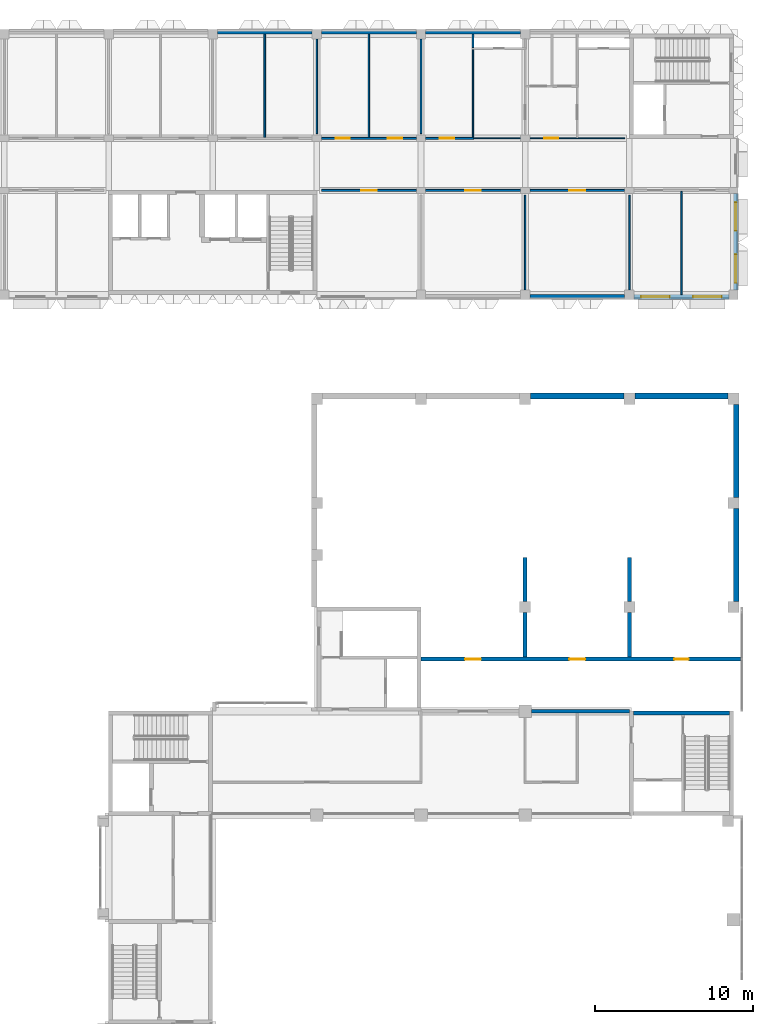
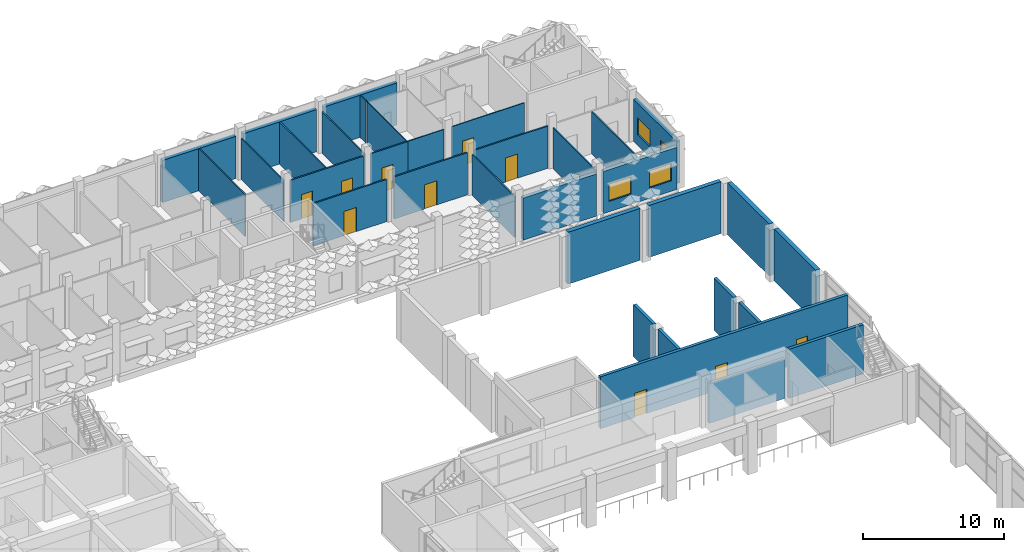
# One storey, part 38 of 87: 33 walls, 10 doors, 4 windows, 14 openings.
"""IFC4 building model written with IfcOpenShell, lengths in metres."""

from ifc_helpers import new_model, si_unit, direction, frame, frame_2d, origin, place, context, subcontext, project, spatial, rectangle, extrude, material, layer, layer_set, type_object, element, fill, save


model = new_model("IFC4")

# Units and contexts
model_context = context("Model", 3, precision=1e-05, world=origin(), true_north=direction((0.0, 1.0)))
body_context = subcontext(model_context, "Body", "Model", "MODEL_VIEW")
ifc_project = project(units=[si_unit("LENGTHUNIT", "METRE"), si_unit("AREAUNIT", "SQUARE_METRE"), si_unit("VOLUMEUNIT", "CUBIC_METRE"), si_unit("PLANEANGLEUNIT", "RADIAN"), si_unit("MASSUNIT", "GRAM", prefix="KILO")], contexts=[model_context])

# Site, building, storey
site_placement = place(None, origin())
site = spatial("IfcSite", under=ifc_project, at=site_placement, CompositionType="ELEMENT")
building_placement = place(site_placement, origin())
building = spatial("IfcBuilding", under=site, at=building_placement, Name="Lantern Court Research Institute", CompositionType="ELEMENT")
storey_placement = place(building_placement, frame((0.0, 0.0, 5.39990234375)))
storey = spatial("IfcBuildingStorey", under=building, at=storey_placement, Name="L01", CompositionType="ELEMENT", Elevation=5.39990234375)

# Wall, openings, doors
ifc_material_1 = material(Name="Acoustic double-leaf gypsum board")
ifc_layer_1 = layer(ifc_material_1, 0.25)
ifc_layer_set_1 = layer_set([ifc_layer_1], Name="Acoustic double-leaf gypsum board")
wall_type_1 = type_object("IfcWallType", Name="Acoustic wall 250 mm EI 60", PredefinedType="PARTITIONING", material=ifc_layer_set_1)
wall_1_placement = place(storey_placement, frame((59.39990234375, 59.39990234375, 0.0), z_axis=(0.0, 0.0, 1.0), x_axis=(1.0, 0.0, 0.0)))
wall_1 = element("IfcWall", 1, at=wall_1_placement, inside=storey, type_object=wall_type_1, Name="Wall V1-L01-003", PredefinedType="PARTITIONING", context=body_context, shape_type="SweptSolid", body=[
    extrude(rectangle(XDim=20.25, YDim=0.25, at=frame_2d((10.125, 0.0))), origin(), (0.0, 0.0, 1.0), 4.5),
])
opening_1_placement = place(wall_1_placement, frame((2.800048828125, 0.0, 0.0)))
opening_1 = element("IfcOpeningElement", 2, at=opening_1_placement, cuts=wall_1, Name="Opening D1102", PredefinedType="OPENING", context=body_context, shape_type="SweptSolid", body=[
    extrude(rectangle(XDim=1.0, YDim=2.10009765625, at=frame_2d((0.5, 1.050048828125))), frame((0.0, 0.135009765625, 0.0), z_axis=(0.0, -1.0, 0.0), x_axis=(1.0, 0.0, 0.0)), (0.0, 0.0, 1.0), 0.27001953125),
])
opening_2_placement = place(wall_1_placement, frame((9.39990234375, 0.0, 0.0)))
opening_2 = element("IfcOpeningElement", 3, at=opening_2_placement, cuts=wall_1, Name="Opening D1103", PredefinedType="OPENING", context=body_context, shape_type="SweptSolid", body=[
    extrude(rectangle(XDim=1.0, YDim=2.10009765625, at=frame_2d((0.5, 1.050048828125))), frame((0.0, 0.135009765625, 0.0), z_axis=(0.0, -1.0, 0.0), x_axis=(1.0, 0.0, 0.0)), (0.0, 0.0, 1.0), 0.27001953125),
])
opening_3_placement = place(wall_1_placement, frame((16.050048828125, 0.0, 0.0)))
opening_3 = element("IfcOpeningElement", 4, at=opening_3_placement, cuts=wall_1, Name="Opening D1104", PredefinedType="OPENING", context=body_context, shape_type="SweptSolid", body=[
    extrude(rectangle(XDim=0.89990234375, YDim=2.10009765625, at=frame_2d((0.449951171875, 1.050048828125))), frame((0.0, 0.135009765625, 0.0), z_axis=(0.0, -1.0, 0.0), x_axis=(1.0, 0.0, 0.0)), (0.0, 0.0, 1.0), 0.27001953125),
])
ifc_material_2 = material(Name="Timber veneered door leaf", Category="wood")
door_type_1 = type_object("IfcDoorType", Name="Door 1000 x 2100 meeting room FD30S", OperationType="NOTDEFINED", PredefinedType="DOOR", material=ifc_material_2)
door_1_placement = place(opening_2_placement, origin())
door_1 = element("IfcDoor", 5, at=door_1_placement, inside=storey, type_object=door_type_1, Name="Door D1103", OperationType="SINGLE_SWING_LEFT", OverallHeight=2.10009765625, OverallWidth=1.0, PredefinedType="DOOR", context=body_context, shape_type="SweptSolid", body=[
    extrude(rectangle(XDim=1.0, YDim=2.10009765625, at=frame_2d((0.5, 1.050048828125))), frame((0.0, 0.02490234375, 0.0), z_axis=(0.0, -1.0, 0.0), x_axis=(1.0, 0.0, 0.0)), (0.0, 0.0, 1.0), 0.050048828125),
])
fill(opening_2, door_1)
ifc_material_3 = material(Name="Coated metal door leaf")
door_type_2 = type_object("IfcDoorType", Name="Door 1000 x 2100 plant FD60", OperationType="NOTDEFINED", PredefinedType="DOOR", material=ifc_material_3)
door_2_placement = place(opening_1_placement, origin())
door_2 = element("IfcDoor", 6, at=door_2_placement, inside=storey, type_object=door_type_2, Name="Door D1102", OperationType="SINGLE_SWING_RIGHT", OverallHeight=2.10009765625, OverallWidth=1.0, PredefinedType="DOOR", context=body_context, shape_type="SweptSolid", body=[
    extrude(rectangle(XDim=1.0, YDim=2.10009765625, at=frame_2d((0.5, 1.050048828125))), frame((0.0, 0.02490234375, 0.0), z_axis=(0.0, -1.0, 0.0), x_axis=(1.0, 0.0, 0.0)), (0.0, 0.0, 1.0), 0.050048828125),
])
fill(opening_1, door_2)
ifc_material_4 = material(Name="Coated metal door leaf")
door_type_3 = type_object("IfcDoorType", Name="Door 900 x 2100 store FD60", OperationType="NOTDEFINED", PredefinedType="DOOR", material=ifc_material_4)
door_3_placement = place(opening_3_placement, origin())
door_3 = element("IfcDoor", 7, at=door_3_placement, inside=storey, type_object=door_type_3, Name="Door D1104", OperationType="SINGLE_SWING_RIGHT", OverallHeight=2.10009765625, OverallWidth=0.89990234375, PredefinedType="DOOR", context=body_context, shape_type="SweptSolid", body=[
    extrude(rectangle(XDim=0.89990234375, YDim=2.10009765625, at=frame_2d((0.449951171875, 1.050048828125))), frame((0.0, 0.02490234375, 0.0), z_axis=(0.0, -1.0, 0.0), x_axis=(1.0, 0.0, 0.0)), (0.0, 0.0, 1.0), 0.050048828125),
])
fill(opening_3, door_3)

# Walls
wall_2_placement = place(storey_placement, frame((66.0, 59.52490234375, 0.0), z_axis=(0.0, 0.0, 1.0), x_axis=(0.0, 1.0, 0.0)))
element("IfcWall", 8, at=wall_2_placement, inside=storey, type_object=wall_type_1, Name="Wall V1-L01-004", PredefinedType="PARTITIONING", context=body_context, shape_type="SweptSolid", body=[
    extrude(rectangle(XDim=2.8251953125, YDim=0.25, at=frame_2d((1.41259765625, 0.0))), origin(), (0.0, 0.0, 1.0), 4.5),
])
wall_3_placement = place(storey_placement, frame((66.0, 63.050048828125, 0.0), z_axis=(0.0, 0.0, 1.0), x_axis=(0.0, 1.0, 0.0)))
element("IfcWall", 9, at=wall_3_placement, inside=storey, type_object=wall_type_1, Name="Wall V1-L01-005", PredefinedType="PARTITIONING", context=body_context, shape_type="SweptSolid", body=[
    extrude(rectangle(XDim=2.800048828125, YDim=0.25, at=frame_2d((1.39990234375, 0.0))), origin(), (0.0, 0.0, 1.0), 4.5),
])
wall_4_placement = place(storey_placement, frame((72.60009765625, 59.52490234375, 0.0), z_axis=(0.0, 0.0, 1.0), x_axis=(0.0, 1.0, 0.0)))
element("IfcWall", 10, at=wall_4_placement, inside=storey, type_object=wall_type_1, Name="Wall V1-L01-006", PredefinedType="PARTITIONING", context=body_context, shape_type="SweptSolid", body=[
    extrude(rectangle(XDim=2.8251953125, YDim=0.25, at=frame_2d((1.41259765625, 0.0))), origin(), (0.0, 0.0, 1.0), 4.5),
])
wall_5_placement = place(storey_placement, frame((72.60009765625, 63.050048828125, 0.0), z_axis=(0.0, 0.0, 1.0), x_axis=(0.0, 1.0, 0.0)))
element("IfcWall", 11, at=wall_5_placement, inside=storey, type_object=wall_type_1, Name="Wall V1-L01-007", PredefinedType="PARTITIONING", context=body_context, shape_type="SweptSolid", body=[
    extrude(rectangle(XDim=2.800048828125, YDim=0.25, at=frame_2d((1.39990234375, 0.0))), origin(), (0.0, 0.0, 1.0), 4.5),
])

# Wall, openings, windows
ifc_material_5 = material(Name="Concrete C30/37", Category="concrete")
ifc_layer_2 = layer(ifc_material_5, 0.300048828125)
ifc_layer_set_2 = layer_set([ifc_layer_2], Name="Concrete C30/37")
wall_type_2 = type_object("IfcWallType", Name="Insulated concrete infill wall 300", PredefinedType="STANDARD", material=ifc_layer_set_2)
wall_6_placement = place(storey_placement, frame((79.35009765625, 88.89990234375, 0.0), z_axis=(0.0, 0.0, 1.0), x_axis=(0.0, -1.0, 0.0)))
wall_6 = element("IfcWall", 12, at=wall_6_placement, inside=storey, type_object=wall_type_2, Name="Exterior wall EW107", PredefinedType="STANDARD", context=body_context, shape_type="SweptSolid", body=[
    extrude(rectangle(XDim=6.099853515625, YDim=0.300048828125, at=frame_2d((3.0498046875, 0.0))), origin(), (0.0, 0.0, 1.0), 3.650146484375),
])
opening_4_placement = place(wall_6_placement, frame((3.85009765625, 0.0, 0.89990234375)))
opening_4 = element("IfcOpeningElement", 13, at=opening_4_placement, cuts=wall_6, Name="Opening W14", PredefinedType="OPENING", context=body_context, shape_type="SweptSolid", body=[
    extrude(rectangle(XDim=1.800048828125, YDim=1.5, at=frame_2d((0.89990234375, 0.75))), frame((0.0, 0.159912109375, 0.0), z_axis=(0.0, -1.0, 0.0), x_axis=(1.0, 0.0, 0.0)), (0.0, 0.0, 1.0), 0.320068359375),
])
opening_5_placement = place(wall_6_placement, frame((0.550048828125, 0.0, 0.89990234375)))
opening_5 = element("IfcOpeningElement", 14, at=opening_5_placement, cuts=wall_6, Name="Opening W14", PredefinedType="OPENING", context=body_context, shape_type="SweptSolid", body=[
    extrude(rectangle(XDim=1.800048828125, YDim=1.5, at=frame_2d((0.89990234375, 0.75))), frame((0.0, 0.159912109375, 0.0), z_axis=(0.0, -1.0, 0.0), x_axis=(1.0, 0.0, 0.0)), (0.0, 0.0, 1.0), 0.320068359375),
])
ifc_material_6 = material(Name="Aluminium frame with laminated low-emissivity glazing", Category="aluminium")
window_type = type_object("IfcWindowType", Name="Office window 1800 x 1500", PartitioningType="SINGLE_PANEL", PredefinedType="WINDOW", material=ifc_material_6)
window_1_placement = place(opening_4_placement, origin())
window_1 = element("IfcWindow", 15, at=window_1_placement, inside=storey, type_object=window_type, Name="Window W14 V6E L01", OverallHeight=1.5, OverallWidth=1.800048828125, PartitioningType="SINGLE_PANEL", PredefinedType="WINDOW", context=body_context, shape_type="SweptSolid", body=[
    extrude(rectangle(XDim=1.800048828125, YDim=1.5, at=frame_2d((0.89990234375, 0.75))), frame((0.0, 0.030029296875, 0.0), z_axis=(0.0, -1.0, 0.0), x_axis=(1.0, 0.0, 0.0)), (0.0, 0.0, 1.0), 0.06005859375),
])
fill(opening_4, window_1)
window_2_placement = place(opening_5_placement, origin())
window_2 = element("IfcWindow", 16, at=window_2_placement, inside=storey, type_object=window_type, Name="Window W14 V6E L01", OverallHeight=1.5, OverallWidth=1.800048828125, PartitioningType="SINGLE_PANEL", PredefinedType="WINDOW", context=body_context, shape_type="SweptSolid", body=[
    extrude(rectangle(XDim=1.800048828125, YDim=1.5, at=frame_2d((0.89990234375, 0.75))), frame((0.0, 0.030029296875, 0.0), z_axis=(0.0, -1.0, 0.0), x_axis=(1.0, 0.0, 0.0)), (0.0, 0.0, 1.0), 0.06005859375),
])
fill(opening_5, window_2)

# Wall
wall_7_placement = place(storey_placement, frame((72.300048828125, 82.35009765625, 0.0), z_axis=(0.0, 0.0, 1.0), x_axis=(-1.0, 0.0, 0.0)))
element("IfcWall", 17, at=wall_7_placement, inside=storey, type_object=wall_type_2, Name="Exterior wall EW127", PredefinedType="STANDARD", context=body_context, shape_type="SweptSolid", body=[
    extrude(rectangle(XDim=6.0, YDim=0.300048828125, at=frame_2d((3.0, 0.0))), origin(), (0.0, 0.0, 1.0), 3.650146484375),
])

# Wall, openings, windows
wall_8_placement = place(storey_placement, frame((78.89990234375, 82.35009765625, 0.0), z_axis=(0.0, 0.0, 1.0), x_axis=(-1.0, 0.0, 0.0)))
wall_8 = element("IfcWall", 18, at=wall_8_placement, inside=storey, type_object=wall_type_2, Name="Exterior wall EW128", PredefinedType="STANDARD", context=body_context, shape_type="SweptSolid", body=[
    extrude(rectangle(XDim=6.0, YDim=0.300048828125, at=frame_2d((3.0, 0.0))), origin(), (0.0, 0.0, 1.0), 3.650146484375),
])
opening_6_placement = place(wall_8_placement, frame((3.75, 0.0, 0.89990234375)))
opening_6 = element("IfcOpeningElement", 19, at=opening_6_placement, cuts=wall_8, Name="Opening W14", PredefinedType="OPENING", context=body_context, shape_type="SweptSolid", body=[
    extrude(rectangle(XDim=1.800048828125, YDim=1.5, at=frame_2d((0.89990234375, 0.75))), frame((0.0, 0.159912109375, 0.0), z_axis=(0.0, -1.0, 0.0), x_axis=(1.0, 0.0, 0.0)), (0.0, 0.0, 1.0), 0.320068359375),
])
opening_7_placement = place(wall_8_placement, frame((0.449951171875, 0.0, 0.89990234375)))
opening_7 = element("IfcOpeningElement", 20, at=opening_7_placement, cuts=wall_8, Name="Opening W14", PredefinedType="OPENING", context=body_context, shape_type="SweptSolid", body=[
    extrude(rectangle(XDim=1.800048828125, YDim=1.5, at=frame_2d((0.89990234375, 0.75))), frame((0.0, 0.159912109375, 0.0), z_axis=(0.0, -1.0, 0.0), x_axis=(1.0, 0.0, 0.0)), (0.0, 0.0, 1.0), 0.320068359375),
])
window_3_placement = place(opening_6_placement, origin())
window_3 = element("IfcWindow", 21, at=window_3_placement, inside=storey, type_object=window_type, Name="Window W14 V6S L01", OverallHeight=1.5, OverallWidth=1.800048828125, PartitioningType="SINGLE_PANEL", PredefinedType="WINDOW", context=body_context, shape_type="SweptSolid", body=[
    extrude(rectangle(XDim=1.800048828125, YDim=1.5, at=frame_2d((0.89990234375, 0.75))), frame((0.0, 0.030029296875, 0.0), z_axis=(0.0, -1.0, 0.0), x_axis=(1.0, 0.0, 0.0)), (0.0, 0.0, 1.0), 0.06005859375),
])
fill(opening_6, window_3)
window_4_placement = place(opening_7_placement, origin())
window_4 = element("IfcWindow", 22, at=window_4_placement, inside=storey, type_object=window_type, Name="Window W14 V6S L01", OverallHeight=1.5, OverallWidth=1.800048828125, PartitioningType="SINGLE_PANEL", PredefinedType="WINDOW", context=body_context, shape_type="SweptSolid", body=[
    extrude(rectangle(XDim=1.800048828125, YDim=1.5, at=frame_2d((0.89990234375, 0.75))), frame((0.0, 0.030029296875, 0.0), z_axis=(0.0, -1.0, 0.0), x_axis=(1.0, 0.0, 0.0)), (0.0, 0.0, 1.0), 0.06005859375),
])
fill(opening_7, window_4)

# Walls
ifc_material_7 = material(Name="Gypsum board on metal studs")
ifc_layer_3 = layer(ifc_material_7, 0.10009765625)
ifc_layer_set_3 = layer_set([ifc_layer_3], Name="Gypsum board on metal studs")
wall_type_3 = type_object("IfcWallType", Name="Partition 100 mm", PredefinedType="PARTITIONING", material=ifc_layer_set_3)
wall_9_placement = place(storey_placement, frame((49.5, 92.462890625, 0.0), z_axis=(0.0, 0.0, 1.0), x_axis=(0.0, 1.0, 0.0)))
element("IfcWall", 23, at=wall_9_placement, inside=storey, type_object=wall_type_3, Name="Wall V6-L01-058", PredefinedType="PARTITIONING", context=body_context, shape_type="SweptSolid", body=[
    extrude(rectangle(XDim=6.537109375, YDim=0.10009765625, at=frame_2d((3.2685546875, 0.0))), origin(), (0.0, 0.0, 1.0), 3.650146484375),
])
wall_10_placement = place(storey_placement, frame((52.800048828125, 92.699951171875, 0.0), z_axis=(0.0, 0.0, 1.0), x_axis=(0.0, 1.0, 0.0)))
element("IfcWall", 24, at=wall_10_placement, inside=storey, type_object=wall_type_3, Name="Wall V6-L01-059", PredefinedType="PARTITIONING", context=body_context, shape_type="SweptSolid", body=[
    extrude(rectangle(XDim=6.0, YDim=0.10009765625, at=frame_2d((3.0, 0.0))), origin(), (0.0, 0.0, 1.0), 3.550048828125),
])
wall_11_placement = place(storey_placement, frame((56.10009765625, 92.462890625, 0.0), z_axis=(0.0, 0.0, 1.0), x_axis=(0.0, 1.0, 0.0)))
element("IfcWall", 25, at=wall_11_placement, inside=storey, type_object=wall_type_3, Name="Wall V6-L01-060", PredefinedType="PARTITIONING", context=body_context, shape_type="SweptSolid", body=[
    extrude(rectangle(XDim=6.537109375, YDim=0.10009765625, at=frame_2d((3.2685546875, 0.0))), origin(), (0.0, 0.0, 1.0), 3.650146484375),
])
for number, where, z_axis, x_axis, name in (
    (26, (59.39990234375, 92.699951171875, 0.0), (0.0, 0.0, 1.0), (0.0, 1.0, 0.0), "Wall V6-L01-062"),
    (27, (66.0, 82.800048828125, 0.0), (0.0, 0.0, 1.0), (0.0, 1.0, 0.0), "Wall V6-L01-065"),
    (28, (72.60009765625, 82.800048828125, 0.0), (0.0, 0.0, 1.0), (0.0, 1.0, 0.0), "Wall V6-L01-071"),
):
    element("IfcWall", number, at=place(storey_placement, frame(where, z_axis=z_axis, x_axis=x_axis)), inside=storey, type_object=wall_type_3, Name=name, PredefinedType="PARTITIONING", context=body_context, shape_type="SweptSolid", body=[
        extrude(rectangle(XDim=6.0, YDim=0.10009765625, at=frame_2d((3.0, 0.0))), origin(), (0.0, 0.0, 1.0), 3.550048828125),
    ])
wall_12_placement = place(storey_placement, frame((75.89990234375, 82.5, 0.0), z_axis=(0.0, 0.0, 1.0), x_axis=(0.0, 1.0, 0.0)))
element("IfcWall", 29, at=wall_12_placement, inside=storey, type_object=wall_type_3, Name="Wall V6-L01-072", PredefinedType="PARTITIONING", context=body_context, shape_type="SweptSolid", body=[
    extrude(rectangle(XDim=6.537109375, YDim=0.10009765625, at=frame_2d((3.2685546875, 0.0))), origin(), (0.0, 0.0, 1.0), 3.650146484375),
])
ifc_material_8 = material(Name="Fire-rated blockwork", Category="masonry")
ifc_layer_4 = layer(ifc_material_8, 0.199951171875)
ifc_layer_set_4 = layer_set([ifc_layer_4], Name="Fire-rated blockwork")
wall_type_4 = type_object("IfcWallType", Name="Party wall 200 mm EI 120", PredefinedType="PARTITIONING", material=ifc_layer_set_4)
wall_13_placement = place(storey_placement, frame((66.39990234375, 56.10009765625, 0.0), z_axis=(0.0, 0.0, 1.0), x_axis=(1.0, 0.0, 0.0)))
element("IfcWall", 30, at=wall_13_placement, inside=storey, type_object=wall_type_4, Name="Wall V1-L01-002", PredefinedType="PARTITIONING", context=body_context, shape_type="SweptSolid", body=[
    extrude(rectangle(XDim=6.2001953125, YDim=0.199951171875, at=frame_2d((3.10009765625, 0.0))), origin(), (0.0, 0.0, 1.0), 3.4501953125),
])
ifc_material_9 = material(Name="Concrete C30/37", Category="concrete")
ifc_layer_5 = layer(ifc_material_9, 0.300048828125)
ifc_layer_set_5 = layer_set([ifc_layer_5], Name="Concrete C30/37")
wall_type_5 = type_object("IfcWallType", Name="Party wall 300 concrete EI 120", PredefinedType="STANDARD", material=ifc_layer_set_5)
for number, where, z_axis, x_axis, name in (
    (31, (46.5, 99.14990234375, 0.0), (0.0, 0.0, 1.0), (1.0, 0.0, 0.0), "Exterior wall EW115"),
    (32, (53.10009765625, 99.14990234375, 0.0), (0.0, 0.0, 1.0), (1.0, 0.0, 0.0), "Exterior wall EW116"),
    (33, (59.699951171875, 99.14990234375, 0.0), (0.0, 0.0, 1.0), (1.0, 0.0, 0.0), "Exterior wall EW117"),
):
    element("IfcWall", number, at=place(storey_placement, frame(where, z_axis=z_axis, x_axis=x_axis)), inside=storey, type_object=wall_type_5, Name=name, PredefinedType="STANDARD", context=body_context, shape_type="SweptSolid", body=[
        extrude(rectangle(XDim=6.0, YDim=0.300048828125, at=frame_2d((3.0, 0.0))), origin(), (0.0, 0.0, 1.0), 3.650146484375),
    ])

# Wall, opening, door
ifc_material_10 = material(Name="Gypsum board on metal studs")
ifc_layer_6 = layer(ifc_material_10, 0.125)
ifc_layer_set_6 = layer_set([ifc_layer_6], Name="Gypsum board on metal studs")
wall_type_6 = type_object("IfcWallType", Name="Protected corridor partition 125 mm EI 30", PredefinedType="PARTITIONING", material=ifc_layer_set_6)
wall_14_placement = place(storey_placement, frame((59.10009765625, 89.10009765625, 0.0), z_axis=(0.0, 0.0, 1.0), x_axis=(-1.0, 0.0, 0.0)))
wall_14 = element("IfcWall", 34, at=wall_14_placement, inside=storey, type_object=wall_type_6, Name="Wall V6-L01-007", PredefinedType="PARTITIONING", context=body_context, shape_type="SweptSolid", body=[
    extrude(rectangle(XDim=6.0, YDim=0.125, at=frame_2d((3.0, 0.0))), origin(), (0.0, 0.0, 1.0), 3.650146484375),
])
opening_8_placement = place(wall_14_placement, frame((2.5, 0.0, 0.0)))
opening_8 = element("IfcOpeningElement", 35, at=opening_8_placement, cuts=wall_14, Name="Opening D6113", PredefinedType="OPENING", context=body_context, shape_type="SweptSolid", body=[
    extrude(rectangle(XDim=1.0, YDim=2.10009765625, at=frame_2d((0.5, 1.050048828125))), frame((0.0, 0.072509765625, 0.0), z_axis=(0.0, -1.0, 0.0), x_axis=(1.0, 0.0, 0.0)), (0.0, 0.0, 1.0), 0.14501953125),
])
door_4_placement = place(opening_8_placement, origin())
door_4 = element("IfcDoor", 36, at=door_4_placement, inside=storey, type_object=door_type_1, Name="Door D6113", OperationType="SINGLE_SWING_LEFT", OverallHeight=2.10009765625, OverallWidth=1.0, PredefinedType="DOOR", context=body_context, shape_type="SweptSolid", body=[
    extrude(rectangle(XDim=1.0, YDim=2.10009765625, at=frame_2d((0.5, 1.050048828125))), frame((0.0, 0.02490234375, 0.0), z_axis=(0.0, -1.0, 0.0), x_axis=(1.0, 0.0, 0.0)), (0.0, 0.0, 1.0), 0.050048828125),
])
fill(opening_8, door_4)

wall_15_placement = place(storey_placement, frame((65.699951171875, 89.10009765625, 0.0), z_axis=(0.0, 0.0, 1.0), x_axis=(-1.0, 0.0, 0.0)))
wall_15 = element("IfcWall", 37, at=wall_15_placement, inside=storey, type_object=wall_type_6, Name="Wall V6-L01-008", PredefinedType="PARTITIONING", context=body_context, shape_type="SweptSolid", body=[
    extrude(rectangle(XDim=6.0, YDim=0.125, at=frame_2d((3.0, 0.0))), origin(), (0.0, 0.0, 1.0), 3.650146484375),
])
opening_9_placement = place(wall_15_placement, frame((2.5, 0.0, 0.0)))
opening_9 = element("IfcOpeningElement", 38, at=opening_9_placement, cuts=wall_15, Name="Opening D6114", PredefinedType="OPENING", context=body_context, shape_type="SweptSolid", body=[
    extrude(rectangle(XDim=1.0, YDim=2.10009765625, at=frame_2d((0.5, 1.050048828125))), frame((0.0, 0.072509765625, 0.0), z_axis=(0.0, -1.0, 0.0), x_axis=(1.0, 0.0, 0.0)), (0.0, 0.0, 1.0), 0.14501953125),
])
door_5_placement = place(opening_9_placement, origin())
door_5 = element("IfcDoor", 39, at=door_5_placement, inside=storey, type_object=door_type_1, Name="Door D6114", OperationType="SINGLE_SWING_LEFT", OverallHeight=2.10009765625, OverallWidth=1.0, PredefinedType="DOOR", context=body_context, shape_type="SweptSolid", body=[
    extrude(rectangle(XDim=1.0, YDim=2.10009765625, at=frame_2d((0.5, 1.050048828125))), frame((0.0, 0.02490234375, 0.0), z_axis=(0.0, -1.0, 0.0), x_axis=(1.0, 0.0, 0.0)), (0.0, 0.0, 1.0), 0.050048828125),
])
fill(opening_9, door_5)

wall_16_placement = place(storey_placement, frame((72.300048828125, 89.10009765625, 0.0), z_axis=(0.0, 0.0, 1.0), x_axis=(-1.0, 0.0, 0.0)))
wall_16 = element("IfcWall", 40, at=wall_16_placement, inside=storey, type_object=wall_type_6, Name="Wall V6-L01-009", PredefinedType="PARTITIONING", context=body_context, shape_type="SweptSolid", body=[
    extrude(rectangle(XDim=6.0, YDim=0.125, at=frame_2d((3.0, 0.0))), origin(), (0.0, 0.0, 1.0), 3.650146484375),
])
opening_10_placement = place(wall_16_placement, frame((2.5, 0.0, 0.0)))
opening_10 = element("IfcOpeningElement", 41, at=opening_10_placement, cuts=wall_16, Name="Opening D6115", PredefinedType="OPENING", context=body_context, shape_type="SweptSolid", body=[
    extrude(rectangle(XDim=1.0, YDim=2.10009765625, at=frame_2d((0.5, 1.050048828125))), frame((0.0, 0.072509765625, 0.0), z_axis=(0.0, -1.0, 0.0), x_axis=(1.0, 0.0, 0.0)), (0.0, 0.0, 1.0), 0.14501953125),
])
door_6_placement = place(opening_10_placement, origin())
door_6 = element("IfcDoor", 42, at=door_6_placement, inside=storey, type_object=door_type_1, Name="Door D6115", OperationType="SINGLE_SWING_RIGHT", OverallHeight=2.10009765625, OverallWidth=1.0, PredefinedType="DOOR", context=body_context, shape_type="SweptSolid", body=[
    extrude(rectangle(XDim=1.0, YDim=2.10009765625, at=frame_2d((0.5, 1.050048828125))), frame((0.0, 0.02490234375, 0.0), z_axis=(0.0, -1.0, 0.0), x_axis=(1.0, 0.0, 0.0)), (0.0, 0.0, 1.0), 0.050048828125),
])
fill(opening_10, door_6)

# Wall, openings, doors
wall_17_placement = place(storey_placement, frame((53.10009765625, 92.39990234375, 0.0), z_axis=(0.0, 0.0, 1.0), x_axis=(1.0, 0.0, 0.0)))
wall_17 = element("IfcWall", 43, at=wall_17_placement, inside=storey, type_object=wall_type_6, Name="Wall V6-L01-019", PredefinedType="PARTITIONING", context=body_context, shape_type="SweptSolid", body=[
    extrude(rectangle(XDim=6.0, YDim=0.125, at=frame_2d((3.0, 0.0))), origin(), (0.0, 0.0, 1.0), 3.650146484375),
])
opening_11_placement = place(wall_17_placement, frame((0.89990234375, 0.0, 0.0)))
opening_11 = element("IfcOpeningElement", 44, at=opening_11_placement, cuts=wall_17, Name="Opening D6130", PredefinedType="OPENING", context=body_context, shape_type="SweptSolid", body=[
    extrude(rectangle(XDim=0.89990234375, YDim=2.10009765625, at=frame_2d((0.449951171875, 1.050048828125))), frame((0.0, 0.072509765625, 0.0), z_axis=(0.0, -1.0, 0.0), x_axis=(1.0, 0.0, 0.0)), (0.0, 0.0, 1.0), 0.14501953125),
])
opening_12_placement = place(wall_17_placement, frame((4.199951171875, 0.0, 0.0)))
opening_12 = element("IfcOpeningElement", 45, at=opening_12_placement, cuts=wall_17, Name="Opening D6131", PredefinedType="OPENING", context=body_context, shape_type="SweptSolid", body=[
    extrude(rectangle(XDim=0.89990234375, YDim=2.10009765625, at=frame_2d((0.449951171875, 1.050048828125))), frame((0.0, 0.072509765625, 0.0), z_axis=(0.0, -1.0, 0.0), x_axis=(1.0, 0.0, 0.0)), (0.0, 0.0, 1.0), 0.14501953125),
])
ifc_material_11 = material(Name="Timber veneered door leaf", Category="wood")
door_type_4 = type_object("IfcDoorType", Name="Door 900 x 2100 timber FD30S", OperationType="NOTDEFINED", PredefinedType="DOOR", material=ifc_material_11)
door_7_placement = place(opening_11_placement, origin())
door_7 = element("IfcDoor", 46, at=door_7_placement, inside=storey, type_object=door_type_4, Name="Door D6130", OperationType="SINGLE_SWING_RIGHT", OverallHeight=2.10009765625, OverallWidth=0.89990234375, PredefinedType="DOOR", context=body_context, shape_type="SweptSolid", body=[
    extrude(rectangle(XDim=0.89990234375, YDim=2.10009765625, at=frame_2d((0.449951171875, 1.050048828125))), frame((0.0, 0.02490234375, 0.0), z_axis=(0.0, -1.0, 0.0), x_axis=(1.0, 0.0, 0.0)), (0.0, 0.0, 1.0), 0.050048828125),
])
fill(opening_11, door_7)
door_8_placement = place(opening_12_placement, origin())
door_8 = element("IfcDoor", 47, at=door_8_placement, inside=storey, type_object=door_type_4, Name="Door D6131", OperationType="SINGLE_SWING_LEFT", OverallHeight=2.10009765625, OverallWidth=0.89990234375, PredefinedType="DOOR", context=body_context, shape_type="SweptSolid", body=[
    extrude(rectangle(XDim=0.89990234375, YDim=2.10009765625, at=frame_2d((0.449951171875, 1.050048828125))), frame((0.0, 0.02490234375, 0.0), z_axis=(0.0, -1.0, 0.0), x_axis=(1.0, 0.0, 0.0)), (0.0, 0.0, 1.0), 0.050048828125),
])
fill(opening_12, door_8)

# Wall, opening, door
wall_18_placement = place(storey_placement, frame((59.699951171875, 92.39990234375, 0.0), z_axis=(0.0, 0.0, 1.0), x_axis=(1.0, 0.0, 0.0)))
wall_18 = element("IfcWall", 48, at=wall_18_placement, inside=storey, type_object=wall_type_6, Name="Wall V6-L01-020", PredefinedType="PARTITIONING", context=body_context, shape_type="SweptSolid", body=[
    extrude(rectangle(XDim=3.0380859375, YDim=0.125, at=frame_2d((1.51904296875, 0.0))), origin(), (0.0, 0.0, 1.0), 3.650146484375),
])
opening_13_placement = place(wall_18_placement, frame((0.89990234375, 0.0, 0.0)))
opening_13 = element("IfcOpeningElement", 49, at=opening_13_placement, cuts=wall_18, Name="Opening D6132", PredefinedType="OPENING", context=body_context, shape_type="SweptSolid", body=[
    extrude(rectangle(XDim=0.89990234375, YDim=2.10009765625, at=frame_2d((0.449951171875, 1.050048828125))), frame((0.0, 0.072509765625, 0.0), z_axis=(0.0, -1.0, 0.0), x_axis=(1.0, 0.0, 0.0)), (0.0, 0.0, 1.0), 0.14501953125),
])
door_9_placement = place(opening_13_placement, origin())
door_9 = element("IfcDoor", 50, at=door_9_placement, inside=storey, type_object=door_type_4, Name="Door D6132", OperationType="SINGLE_SWING_LEFT", OverallHeight=2.10009765625, OverallWidth=0.89990234375, PredefinedType="DOOR", context=body_context, shape_type="SweptSolid", body=[
    extrude(rectangle(XDim=0.89990234375, YDim=2.10009765625, at=frame_2d((0.449951171875, 1.050048828125))), frame((0.0, 0.02490234375, 0.0), z_axis=(0.0, -1.0, 0.0), x_axis=(1.0, 0.0, 0.0)), (0.0, 0.0, 1.0), 0.050048828125),
])
fill(opening_13, door_9)

# Walls
ifc_material_12 = material(Name="Concrete C40/50", Category="concrete")
ifc_layer_7 = layer(ifc_material_12, 0.25)
ifc_layer_set_7 = layer_set([ifc_layer_7], Name="Concrete C40/50")
wall_type_7 = type_object("IfcWallType", Name="RC core wall 250", PredefinedType="SHEAR", material=ifc_layer_set_7)
wall_19_placement = place(storey_placement, frame((72.85009765625, 55.97509765625, 0.0), z_axis=(0.0, 0.0, 1.0), x_axis=(1.0, 0.0, 0.0)))
element("IfcWall", 51, at=wall_19_placement, inside=storey, type_object=wall_type_7, Name="North wall of core HC-B", PredefinedType="SHEAR", context=body_context, shape_type="SweptSolid", body=[
    extrude(rectangle(XDim=6.099853515625, YDim=0.25, at=frame_2d((3.0498046875, 0.0))), origin(), (0.0, 0.0, 1.0), 4.25),
])
ifc_material_13 = material(Name="Fire-rated gypsum board on metal studs")
ifc_layer_8 = layer(ifc_material_13, 0.110107421875)
ifc_layer_set_8 = layer_set([ifc_layer_8], Name="Fire-rated gypsum board on metal studs")
wall_type_8 = type_object("IfcWallType", Name="Riser wall 110 mm EI 60", PredefinedType="PARTITIONING", material=ifc_layer_set_8)
wall_20_placement = place(storey_placement, frame((62.699951171875, 98.155029296875, 0.0), z_axis=(0.0, 0.0, 1.0), x_axis=(0.0, 1.0, 0.0)))
element("IfcWall", 52, at=wall_20_placement, inside=storey, type_object=wall_type_8, Name="Wall V6-L01-064", PredefinedType="PARTITIONING", context=body_context, shape_type="SweptSolid", body=[
    extrude(rectangle(XDim=0.844970703125, YDim=0.110107421875, at=frame_2d((0.42236328125, 0.0))), origin(), (0.0, 0.0, 1.0), 3.650146484375),
])
ifc_material_14 = material(Name="Gypsum board on metal studs")
ifc_layer_9 = layer(ifc_material_14, 0.074951171875)
ifc_layer_set_9 = layer_set([ifc_layer_9], Name="Gypsum board on metal studs")
wall_type_9 = type_object("IfcWallType", Name="Service partition 75 mm", PredefinedType="PARTITIONING", material=ifc_layer_set_9)
wall_21_placement = place(storey_placement, frame((62.699951171875, 92.462890625, 0.0), z_axis=(0.0, 0.0, 1.0), x_axis=(0.0, 1.0, 0.0)))
element("IfcWall", 53, at=wall_21_placement, inside=storey, type_object=wall_type_9, Name="Wall V6-L01-063", PredefinedType="PARTITIONING", context=body_context, shape_type="SweptSolid", body=[
    extrude(rectangle(XDim=5.58203125, YDim=0.074951171875, at=frame_2d((2.791015625, 0.0))), origin(), (0.0, 0.0, 1.0), 3.650146484375),
])
ifc_material_15 = material(Name="Gypsum board on metal studs")
ifc_layer_10 = layer(ifc_material_15, 0.074951171875)
ifc_layer_set_10 = layer_set([ifc_layer_10], Name="Gypsum board on metal studs")
wall_type_10 = type_object("IfcWallType", Name="Service partition 75 mm EI 30", PredefinedType="PARTITIONING", material=ifc_layer_set_10)
wall_22_placement = place(storey_placement, frame((62.738037109375, 92.39990234375, 0.0), z_axis=(0.0, 0.0, 1.0), x_axis=(1.0, 0.0, 0.0)))
element("IfcWall", 54, at=wall_22_placement, inside=storey, type_object=wall_type_10, Name="Wall V6-L01-021", PredefinedType="PARTITIONING", context=body_context, shape_type="SweptSolid", body=[
    extrude(rectangle(XDim=2.9619140625, YDim=0.074951171875, at=frame_2d((1.48095703125, 0.0))), origin(), (0.0, 0.0, 1.0), 3.650146484375),
])

# Wall, opening, door
wall_23_placement = place(storey_placement, frame((66.300048828125, 92.39990234375, 0.0), z_axis=(0.0, 0.0, 1.0), x_axis=(1.0, 0.0, 0.0)))
wall_23 = element("IfcWall", 55, at=wall_23_placement, inside=storey, type_object=wall_type_10, Name="Wall V6-L01-022", PredefinedType="PARTITIONING", context=body_context, shape_type="SweptSolid", body=[
    extrude(rectangle(XDim=6.0, YDim=0.074951171875, at=frame_2d((3.0, 0.0))), origin(), (0.0, 0.0, 1.0), 3.650146484375),
])
opening_14_placement = place(wall_23_placement, frame((0.89990234375, 0.0, 0.0)))
opening_14 = element("IfcOpeningElement", 56, at=opening_14_placement, cuts=wall_23, Name="Opening D6133", PredefinedType="OPENING", context=body_context, shape_type="SweptSolid", body=[
    extrude(rectangle(XDim=0.89990234375, YDim=2.10009765625, at=frame_2d((0.449951171875, 1.050048828125))), frame((0.0, 0.04736328125, 0.0), z_axis=(0.0, -1.0, 0.0), x_axis=(1.0, 0.0, 0.0)), (0.0, 0.0, 1.0), 0.094970703125),
])
ifc_material_16 = material(Name="Timber veneered door leaf", Category="wood")
door_type_5 = type_object("IfcDoorType", Name="Door 900 x 2100 WC FD30S", OperationType="NOTDEFINED", PredefinedType="DOOR", material=ifc_material_16)
door_10_placement = place(opening_14_placement, origin())
door_10 = element("IfcDoor", 57, at=door_10_placement, inside=storey, type_object=door_type_5, Name="Door D6133", OperationType="SINGLE_SWING_RIGHT", OverallHeight=2.10009765625, OverallWidth=0.89990234375, PredefinedType="DOOR", context=body_context, shape_type="SweptSolid", body=[
    extrude(rectangle(XDim=0.89990234375, YDim=2.10009765625, at=frame_2d((0.449951171875, 1.050048828125))), frame((0.0, 0.02490234375, 0.0), z_axis=(0.0, -1.0, 0.0), x_axis=(1.0, 0.0, 0.0)), (0.0, 0.0, 1.0), 0.050048828125),
])
fill(opening_14, door_10)

# Walls
ifc_material_17 = material(Name="Glued laminated timber GL28h", Category="wood")
ifc_layer_11 = layer(ifc_material_17, 0.35009765625)
ifc_layer_set_11 = layer_set([ifc_layer_11], Name="Glued laminated timber GL28h")
wall_type_11 = type_object("IfcWallType", Name="Timber-clad drum wall 350", PredefinedType="STANDARD", material=ifc_layer_set_11)
wall_24_placement = place(storey_placement, frame((79.375, 68.949951171875, 0.0), z_axis=(0.0, 0.0, 1.0), x_axis=(0.0, -1.0, 0.0)))
element("IfcWall", 58, at=wall_24_placement, inside=storey, type_object=wall_type_11, Name="Exterior wall EW073", PredefinedType="STANDARD", context=body_context, shape_type="SweptSolid", body=[
    extrude(rectangle(XDim=5.89990234375, YDim=0.35009765625, at=frame_2d((2.949951171875, 0.0))), origin(), (0.0, 0.0, 1.0), 4.5),
])
wall_25_placement = place(storey_placement, frame((79.375, 75.550048828125, 0.0), z_axis=(0.0, 0.0, 1.0), x_axis=(0.0, -1.0, 0.0)))
element("IfcWall", 59, at=wall_25_placement, inside=storey, type_object=wall_type_11, Name="Exterior wall EW074", PredefinedType="STANDARD", context=body_context, shape_type="SweptSolid", body=[
    extrude(rectangle(XDim=5.900146484375, YDim=0.35009765625, at=frame_2d((2.9501953125, 0.0))), origin(), (0.0, 0.0, 1.0), 4.5),
])
wall_26_placement = place(storey_placement, frame((66.35009765625, 76.074951171875, 0.0), z_axis=(0.0, 0.0, 1.0), x_axis=(1.0, 0.0, 0.0)))
element("IfcWall", 60, at=wall_26_placement, inside=storey, type_object=wall_type_11, Name="Exterior wall EW077", PredefinedType="STANDARD", context=body_context, shape_type="SweptSolid", body=[
    extrude(rectangle(XDim=5.89990234375, YDim=0.35009765625, at=frame_2d((2.949951171875, 0.0))), origin(), (0.0, 0.0, 1.0), 4.5),
])
wall_27_placement = place(storey_placement, frame((72.949951171875, 76.074951171875, 0.0), z_axis=(0.0, 0.0, 1.0), x_axis=(1.0, 0.0, 0.0)))
element("IfcWall", 61, at=wall_27_placement, inside=storey, type_object=wall_type_11, Name="Exterior wall EW078", PredefinedType="STANDARD", context=body_context, shape_type="SweptSolid", body=[
    extrude(rectangle(XDim=5.900146484375, YDim=0.35009765625, at=frame_2d((2.9501953125, 0.0))), origin(), (0.0, 0.0, 1.0), 4.5),
])

save(model, "model.ifc")
